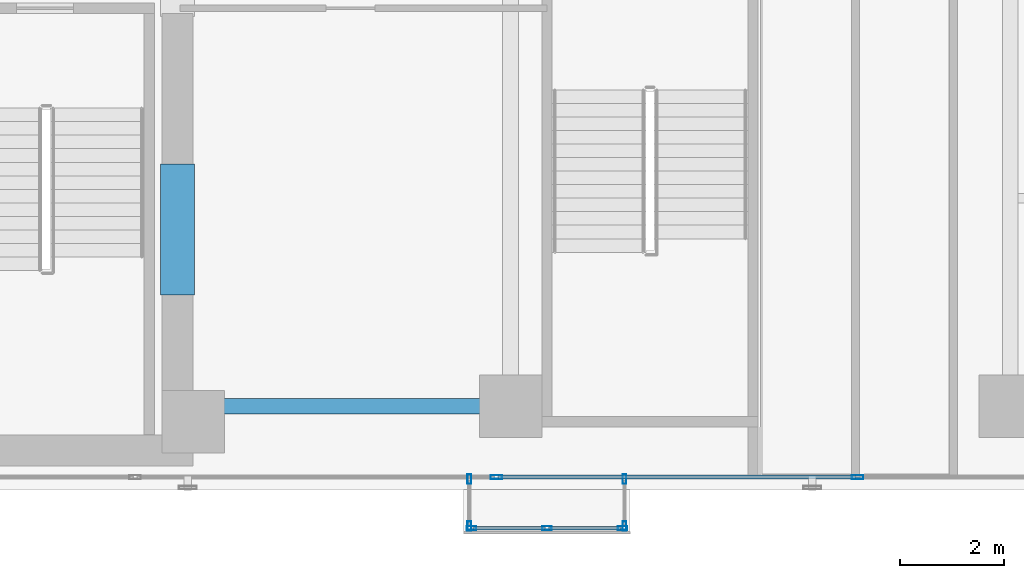
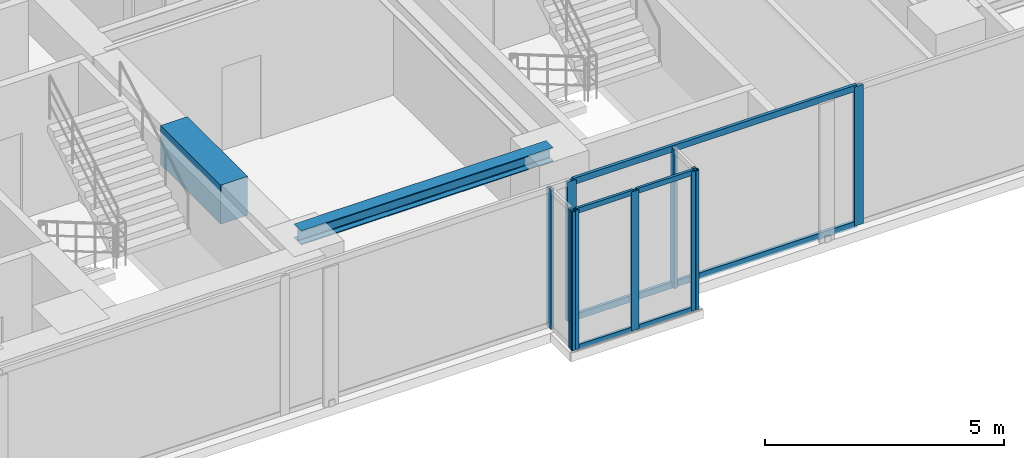
# One storey, part 4 of 24: 15 members, 2 beams, 4 elements without a shape of their own.
"""IFC4 building model written with IfcOpenShell, lengths in metres."""

import ifcopenshell
import ifcopenshell.guid

model = None  # the IFC model being written
_history = None  # IfcOwnerHistory: only IFC2X3 demands one
_inside = {}  # id of a spatial element -> (the spatial element, [elements in it])
_under = {}  # id of a project, library or spatial element -> (it, [spatial elements below it])
_declared = {}  # id of a project -> (the project, [libraries it declares])
_typed = {}  # id of a type object -> (the type object, [elements of that type])
_made_of = {}  # id of a material, layer set ... -> (it, [elements and type objects made of it])


def new_model(schema):
    """Start an empty IFC model of exactly this schema.

    Asked for "IFC4X3", IfcOpenShell would pick the latest addendum, in which some entities
    have other attributes; the version numbers below select the first issue.
    IFC2X3 requires an IfcOwnerHistory on every rooted entity: one is made here for all.
    """
    global model, _history
    if schema == "IFC4X3":
        model = ifcopenshell.file(schema_version=(4, 3, 0, 0))
    else:
        model = ifcopenshell.file(schema=schema)
    _inside.clear()
    _under.clear()
    _declared.clear()
    _typed.clear()
    _made_of.clear()
    _history = None
    if model.schema == "IFC2X3":
        org = make("IfcOrganization", Name="unknown")
        user = make(
            "IfcPersonAndOrganization",
            ThePerson=make("IfcPerson", FamilyName="unknown"),
            TheOrganization=org,
        )
        app = make(
            "IfcApplication",
            ApplicationDeveloper=org,
            Version="unknown",
            ApplicationFullName="unknown",
            ApplicationIdentifier="unknown",
        )
        _history = make(
            "IfcOwnerHistory",
            OwningUser=user,
            OwningApplication=app,
            ChangeAction="ADDED",
            CreationDate=0,
        )
    return model


def make(cls, **values):
    """One entity of the class cls with the attributes given. An attribute that is None is left unset."""
    return model.create_entity(
        cls, **{name: value for name, value in values.items() if value is not None}
    )


def rooted(cls, **values):
    """An entity with a GlobalId (a new one), such as an element, a storey or a relation."""
    return make(cls, GlobalId=ifcopenshell.guid.new(), OwnerHistory=_history, **values)


def si_unit(unit_type, name, prefix=None):
    """IfcSIUnit, for example si_unit("LENGTHUNIT", "METRE", prefix="MILLI")."""
    return make("IfcSIUnit", UnitType=unit_type, Prefix=prefix, Name=name)


def assignment(units):
    """IfcUnitAssignment: the units of a project."""
    return None if units is None else make("IfcUnitAssignment", Units=units)


def point(xyz):
    """IfcCartesianPoint."""
    return None if xyz is None else make("IfcCartesianPoint", Coordinates=xyz)


def direction(xyz):
    """IfcDirection."""
    return None if xyz is None else make("IfcDirection", DirectionRatios=xyz)


def frame(location, z_axis=None, x_axis=None):
    """IfcAxis2Placement3D, a coordinate frame: its origin and axes. An axis left out is left unset."""
    return make(
        "IfcAxis2Placement3D",
        Location=point(location),
        Axis=direction(z_axis),
        RefDirection=direction(x_axis),
    )


def frame_2d(location, x_axis=None):
    """IfcAxis2Placement2D, a coordinate frame in the plane: its origin and x axis."""
    return make(
        "IfcAxis2Placement2D", Location=point(location), RefDirection=direction(x_axis)
    )


def origin():
    """The frame at (0, 0, 0) with its axes left unset."""
    return frame((0.0, 0.0, 0.0))


def origin_with_axes():
    """The frame at (0, 0, 0) with the z axis (0, 0, 1) and the x axis (1, 0, 0) written out."""
    return frame((0.0, 0.0, 0.0), z_axis=(0.0, 0.0, 1.0), x_axis=(1.0, 0.0, 0.0))


def origin_2d():
    """The frame at (0, 0) in the plane with its x axis left unset."""
    return frame_2d((0.0, 0.0))


def place(relative_to, where):
    """IfcLocalPlacement: puts the frame where relative to a parent placement (None: the world)."""
    return make(
        "IfcLocalPlacement", PlacementRelTo=relative_to, RelativePlacement=where
    )


def context(
    kind, dimensions, precision=None, world=None, true_north=None, identifier=None
):
    """IfcGeometricRepresentationContext, for example the 3D "Model" context."""
    return make(
        "IfcGeometricRepresentationContext",
        ContextIdentifier=identifier,
        ContextType=kind,
        CoordinateSpaceDimension=dimensions,
        Precision=precision,
        WorldCoordinateSystem=world,
        TrueNorth=true_north,
    )


def subcontext(parent, identifier, kind, view, scale=None):
    """IfcGeometricRepresentationSubContext, for example "Body" below "Model"."""
    return make(
        "IfcGeometricRepresentationSubContext",
        ContextIdentifier=identifier,
        ContextType=kind,
        ParentContext=parent,
        TargetScale=scale,
        TargetView=view,
    )


def project(units=None, contexts=None):
    """IfcProject with its units and contexts."""
    return rooted(
        "IfcProject",
        Name="project",
        RepresentationContexts=contexts,
        UnitsInContext=assignment(units),
    )


def spatial(cls, under=None, at=None, **own):
    """A site, building, storey or space (cls), placed at a placement, below another one or the project."""
    s = rooted(cls, ObjectPlacement=at, **own)
    if under is not None:
        _under.setdefault(under.id(), (under, []))[1].append(s)
    return s


def profile(cls, at=None, kind="AREA", **sizes):
    """A parametric profile (cls). Its sizes go by their IFC names, for example OverallWidth=200.0."""
    return make(cls, ProfileType=kind, Position=at, **sizes)


def rectangle(**sizes):
    """IfcRectangleProfileDef."""
    return profile("IfcRectangleProfileDef", **sizes)


def hollow_rectangle(**sizes):
    """IfcRectangleHollowProfileDef."""
    return profile("IfcRectangleHollowProfileDef", **sizes)


def i_section(**sizes):
    """IfcIShapeProfileDef."""
    return profile("IfcIShapeProfileDef", **sizes)


def extrude(swept, where, along, depth):
    """IfcExtrudedAreaSolid: the profile swept, set in the frame where, extruded along a direction by depth."""
    return make(
        "IfcExtrudedAreaSolid",
        SweptArea=swept,
        Position=where,
        ExtrudedDirection=direction(along),
        Depth=depth,
    )


def shape(context_of_items, identifier, shape_type, items):
    """IfcShapeRepresentation: the items that make up one representation, for example the "Body"."""
    return make(
        "IfcShapeRepresentation",
        ContextOfItems=context_of_items,
        RepresentationIdentifier=identifier,
        RepresentationType=shape_type,
        Items=items,
    )


def source(mapping_origin, context_of_items, identifier, shape_type, items):
    """IfcRepresentationMap: a shape defined once, which mapped items show again and again."""
    return make(
        "IfcRepresentationMap",
        MappingOrigin=mapping_origin,
        MappedRepresentation=shape(context_of_items, identifier, shape_type, items),
    )


def transform(
    local_origin,
    x_axis=None,
    y_axis=None,
    z_axis=None,
    scale=None,
    scale2=None,
    scale3=None,
    uniform=True,
):
    """IfcCartesianTransformationOperator3D, or its non-uniform kind. x_axis, y_axis, z_axis: its Axis1, 2, 3."""
    if uniform:
        return make(
            "IfcCartesianTransformationOperator3D",
            Axis1=direction(x_axis),
            Axis2=direction(y_axis),
            LocalOrigin=point(local_origin),
            Scale=scale,
            Axis3=direction(z_axis),
        )
    return make(
        "IfcCartesianTransformationOperator3DnonUniform",
        Axis1=direction(x_axis),
        Axis2=direction(y_axis),
        LocalOrigin=point(local_origin),
        Scale=scale,
        Axis3=direction(z_axis),
        Scale2=scale2,
        Scale3=scale3,
    )


def mapped(mapping_source, mapping_target):
    """IfcMappedItem: shows the shape of a source again, moved by a transform."""
    return make(
        "IfcMappedItem", MappingSource=mapping_source, MappingTarget=mapping_target
    )


def material(Name=None, Category=None):
    """IfcMaterial."""
    return make("IfcMaterial", Name=Name, Category=Category)


def layer(
    of_material, thickness, ventilated=None, Name=None, Category=None, Priority=None
):
    """IfcMaterialLayer: one layer of a wall or slab, of a material (None: an air gap)."""
    return make(
        "IfcMaterialLayer",
        Material=of_material,
        LayerThickness=thickness,
        IsVentilated=ventilated,
        Name=Name,
        Category=Category,
        Priority=Priority,
    )


def layer_set(layers, Name=None):
    """IfcMaterialLayerSet."""
    return make("IfcMaterialLayerSet", MaterialLayers=layers, LayerSetName=Name)


def material_profile(
    of_material, cross_section, Name=None, Category=None, Priority=None
):
    """IfcMaterialProfile: a cross section and its material."""
    return make(
        "IfcMaterialProfile",
        Name=Name,
        Material=of_material,
        Profile=cross_section,
        Priority=Priority,
        Category=Category,
    )


def profile_set(profiles, Name=None, composite=None):
    """IfcMaterialProfileSet."""
    return make(
        "IfcMaterialProfileSet",
        Name=Name,
        MaterialProfiles=profiles,
        CompositeProfile=composite,
    )


def made_of(thing, what):
    """Note that an element or type object is made of a material, layer set ...; save() writes the relation."""
    if what is not None:
        _made_of.setdefault(what.id(), (what, []))[1].append(thing)
    return thing


def type_object(cls, material=None, **own):
    """A type object (cls), such as IfcWallType, which elements share."""
    return made_of(rooted(cls, **own), material)


def element(
    cls,
    number,
    at=None,
    inside=None,
    cuts=None,
    type_object=None,
    material=None,
    context=None,
    identifier="Body",
    shape_type=None,
    held_by="IfcProductDefinitionShape",
    body=None,
    shapes=None,
    **own,
):
    """One element of the class cls, such as IfcWall. Its Tag is "e" and its number.

    at: its placement. inside: the storey or other place that contains it. cuts: it is an
    opening in that element (IfcRelVoidsElement). A single representation is given by context,
    identifier, shape_type and body (its items); several are given by shapes. held_by: the class
    of the entity that holds the representations. save() writes the other relations.
    """
    e = rooted(cls, Tag="e%d" % number, ObjectPlacement=at, **own)
    if body is not None:
        shapes = [shape(context, identifier, shape_type, body)]
    if shapes is not None:
        e.Representation = make(held_by, Representations=shapes)
    if inside is not None:
        _inside.setdefault(inside.id(), (inside, []))[1].append(e)
    if cuts is not None:
        rooted(
            "IfcRelVoidsElement", RelatingBuildingElement=cuts, RelatedOpeningElement=e
        )
    if type_object is not None:
        _typed.setdefault(type_object.id(), (type_object, []))[1].append(e)
    return made_of(e, material)


def aggregate(whole, parts):
    """IfcRelAggregates: a whole, such as a stair, and the parts it consists of."""
    return rooted("IfcRelAggregates", RelatingObject=whole, RelatedObjects=parts)


def save(model, path):
    """Write the relations noted so far, then the file.

    IfcRelAggregates (storeys below a building ...), IfcRelContainedInSpatialStructure (elements
    in a storey), IfcRelDefinesByType, IfcRelAssociatesMaterial and IfcRelDeclares: one each for
    every whole, place, type object, material and project.
    """
    for whole, parts in _under.values():
        aggregate(whole, parts)
    for where, things in _inside.values():
        rooted(
            "IfcRelContainedInSpatialStructure",
            RelatedElements=things,
            RelatingStructure=where,
        )
    for kind, things in _typed.values():
        rooted("IfcRelDefinesByType", RelatedObjects=things, RelatingType=kind)
    for what, things in _made_of.values():
        rooted("IfcRelAssociatesMaterial", RelatedObjects=things, RelatingMaterial=what)
    for by, libraries in _declared.values():
        rooted("IfcRelDeclares", RelatingContext=by, RelatedDefinitions=libraries)
    model.write(path)


model = new_model("IFC4")

# Units and contexts
model_context = context("Model", 3, precision=1e-05, world=origin(), true_north=direction((0.0, 1.0)))
body_context = subcontext(model_context, "Body", "Model", "MODEL_VIEW")
ifc_project = project(units=[si_unit("LENGTHUNIT", "METRE"), si_unit("AREAUNIT", "SQUARE_METRE"), si_unit("VOLUMEUNIT", "CUBIC_METRE"), si_unit("PLANEANGLEUNIT", "RADIAN"), si_unit("MASSUNIT", "GRAM", prefix="KILO")], contexts=[model_context])

# Site, building, storey
site_placement = place(None, origin())
site = spatial("IfcSite", under=ifc_project, at=site_placement, CompositionType="ELEMENT")
building_placement = place(site_placement, origin())
building = spatial("IfcBuilding", under=site, at=building_placement, Name="Kolvaren Waterfront Exchange", CompositionType="ELEMENT")
storey_placement = place(building_placement, frame((0.0, 0.0, 169.0)))
storey = spatial("IfcBuildingStorey", under=building, at=storey_placement, Name="L43", CompositionType="ELEMENT", Elevation=169.0)

# Beams
ifc_material_1 = material(Name="Steel S355", Category="steel")
ifc_material_profile_1 = material_profile(ifc_material_1, i_section(OverallWidth=0.300048828125, OverallDepth=0.360107421875, WebThickness=0.012451171875, FlangeThickness=0.0224609375, FilletRadius=0.027099609375, at=origin_2d()), Name="HEB360")
ifc_profile_set_1 = profile_set([ifc_material_profile_1], Name="Steel S355")
beam_type_1 = type_object("IfcBeamType", Name="STR-BM-HEB360", PredefinedType="SPANDREL", material=ifc_profile_set_1)
beam_1_placement = place(storey_placement, frame((21.10009765625, 5.199951171875, 3.3798828125), z_axis=(1.0, 0.0, 0.0), x_axis=(0.0, 1.0, 0.0)))
element("IfcBeam", 1, at=beam_1_placement, inside=storey, type_object=beam_type_1, Name="L43 east-arm spandrel S1", PredefinedType="SPANDREL", context=body_context, shape_type="SweptSolid", body=[
    extrude(i_section(OverallWidth=0.300048828125, OverallDepth=0.360107421875, WebThickness=0.012451171875, FlangeThickness=0.0224609375, FilletRadius=0.027099609375, at=origin_2d()), origin(), (0.0, 0.0, 1.0), 6.099853515625),
])
ifc_material_2 = material(Name="Concrete C60/75", Category="concrete")
ifc_material_profile_2 = material_profile(ifc_material_2, rectangle(XDim=0.64990234375, YDim=1.0, at=origin_2d()), Name="RC-CB-1000x650")
ifc_profile_set_2 = profile_set([ifc_material_profile_2], Name="Concrete C60/75")
beam_type_2 = type_object("IfcBeamType", Name="STR-CB-1000", PredefinedType="SPANDREL", material=ifc_profile_set_2)
beam_2_placement = place(storey_placement, frame((20.800048828125, 7.340087890625, 3.06005859375), z_axis=(0.0, 1.0, 0.0), x_axis=(-1.0, 0.0, 0.0)))
element("IfcBeam", 2, at=beam_2_placement, inside=storey, type_object=beam_type_2, Name="L43 core coupling beam 1", PredefinedType="SPANDREL", context=body_context, shape_type="SweptSolid", body=[
    extrude(rectangle(XDim=0.64990234375, YDim=1.0, at=origin_2d()), origin(), (0.0, 0.0, 1.0), 2.52001953125),
])

# Curtain wall, members
ifc_material_3 = material(Name="Anodised bronze aluminium 6063-T6", Category="aluminium")
ifc_layer_1 = layer(ifc_material_3, 0.219970703125, Name="Anodised bronze aluminium 6063-T6")
ifc_layer_set_1 = layer_set([ifc_layer_1], Name="Anodised bronze aluminium 6063-T6")
curtain_wall_type_1 = type_object("IfcCurtainWallType", Name="ARC-CW-SYS3", PredefinedType="USERDEFINED", material=ifc_layer_set_1)
curtain_wall_1_placement = place(storey_placement, origin())
curtain_wall_1 = element("IfcCurtainWall", 3, at=curtain_wall_1_placement, inside=storey, type_object=curtain_wall_type_1, Name="L43 stick curtain wall CW3 (CW-L43-BOX)", ObjectType="STICK CURTAIN WALL", PredefinedType="USERDEFINED")
ifc_material_profile_3 = material_profile(ifc_material_3, hollow_rectangle(XDim=0.06494140625, YDim=0.1298828125, WallThickness=0.00390625, at=origin_2d()), Name="ALU-TRN-130x65x4")
ifc_profile_set_3 = profile_set([ifc_material_profile_3], Name="Anodised bronze aluminium 6063-T6")
member_type_1 = type_object("IfcMemberType", Name="ARC-CWT-130", PredefinedType="USERDEFINED", material=ifc_profile_set_3)
shared_shape_1 = source(origin_with_axes(), body_context, "Body", "SweptSolid", [
    extrude(hollow_rectangle(XDim=0.06494140625, YDim=0.1298828125, WallThickness=0.00390625, at=origin_2d()), origin(), (0.0, 0.0, 1.0), 1.37744140625),
])
member_1_placement = place(storey_placement, frame((26.485107421875, 2.860107421875, 0.032470703125), z_axis=(1.0, 0.0, 0.0), x_axis=(0.0, 1.0, 0.0)))
member_1 = element("IfcMember", 4, at=member_1_placement, type_object=member_type_1, Name="CW3 transom 1.1", ObjectType="TRANSOM", PredefinedType="USERDEFINED", context=body_context, shape_type="MappedRepresentation", body=[
    mapped(shared_shape_1, transform((0.0, 0.0, 0.0), x_axis=(1.0, 0.0, 0.0), y_axis=(0.0, 1.0, 0.0), z_axis=(0.0, 0.0, 1.0), scale=1.0)),
])
member_2_placement = place(storey_placement, frame((26.485107421875, 2.860107421875, 3.527587890625), z_axis=(1.0, 0.0, 0.0), x_axis=(0.0, 1.0, 0.0)))
member_2 = element("IfcMember", 5, at=member_2_placement, type_object=member_type_1, Name="CW3 transom 1.2", ObjectType="TRANSOM", PredefinedType="USERDEFINED", context=body_context, shape_type="MappedRepresentation", body=[
    mapped(shared_shape_1, transform((0.0, 0.0, 0.0), x_axis=(1.0, 0.0, 0.0), y_axis=(0.0, 1.0, 0.0), z_axis=(0.0, 0.0, 1.0), scale=1.0)),
])
member_3_placement = place(storey_placement, frame((27.9375, 2.860107421875, 0.032470703125), z_axis=(1.0, 0.0, 0.0), x_axis=(0.0, 1.0, 0.0)))
member_3 = element("IfcMember", 6, at=member_3_placement, type_object=member_type_1, Name="CW3 transom 2.1", ObjectType="TRANSOM", PredefinedType="USERDEFINED", context=body_context, shape_type="MappedRepresentation", body=[
    mapped(shared_shape_1, transform((0.0, 0.0, 0.0), x_axis=(1.0, 0.0, 0.0), y_axis=(0.0, 1.0, 0.0), z_axis=(0.0, 0.0, 1.0), scale=1.0)),
])
member_4_placement = place(storey_placement, frame((27.9375, 2.860107421875, 3.527587890625), z_axis=(1.0, 0.0, 0.0), x_axis=(0.0, 1.0, 0.0)))
member_4 = element("IfcMember", 7, at=member_4_placement, type_object=member_type_1, Name="CW3 transom 2.2", ObjectType="TRANSOM", PredefinedType="USERDEFINED", context=body_context, shape_type="MappedRepresentation", body=[
    mapped(shared_shape_1, transform((0.0, 0.0, 0.0), x_axis=(1.0, 0.0, 0.0), y_axis=(0.0, 1.0, 0.0), z_axis=(0.0, 0.0, 1.0), scale=1.0)),
])

curtain_wall_2_placement = place(storey_placement, origin())
curtain_wall_2 = element("IfcCurtainWall", 8, at=curtain_wall_2_placement, inside=storey, type_object=curtain_wall_type_1, Name="L43 stick curtain wall CW3 (CW-L43-BOX-W)", ObjectType="STICK CURTAIN WALL", PredefinedType="USERDEFINED")
ifc_material_profile_4 = material_profile(ifc_material_3, hollow_rectangle(XDim=0.074951171875, YDim=0.179931640625, WallThickness=0.00439453125, at=origin_2d()), Name="ALU-MUL-180x75x4.5")
ifc_profile_set_4 = profile_set([ifc_material_profile_4], Name="Anodised bronze aluminium 6063-T6")
member_type_2 = type_object("IfcMemberType", Name="ARC-CWM-180", PredefinedType="MULLION", material=ifc_profile_set_4)
shared_shape_2 = source(origin_with_axes(), body_context, "Body", "SweptSolid", [
    extrude(hollow_rectangle(XDim=0.074951171875, YDim=0.179931640625, WallThickness=0.00439453125, at=origin_2d()), origin(), (0.0, 0.0, 1.0), 3.56005859375),
])
member_5_placement = place(storey_placement, frame((26.409912109375, 3.802490234375, 0.0), z_axis=(0.0, 0.0, 1.0), x_axis=(1.0, 0.0, 0.0)))
member_5 = element("IfcMember", 9, at=member_5_placement, type_object=member_type_2, Name="CW3 mullion 1", PredefinedType="MULLION", context=body_context, shape_type="MappedRepresentation", body=[
    mapped(shared_shape_2, transform((0.0, 0.0, 0.0), x_axis=(1.0, 0.0, 0.0), y_axis=(0.0, 1.0, 0.0), z_axis=(0.0, 0.0, 1.0), scale=1.0)),
])
member_6_placement = place(storey_placement, frame((26.409912109375, 2.8974609375, 0.0), z_axis=(0.0, 0.0, 1.0), x_axis=(1.0, 0.0, 0.0)))
member_6 = element("IfcMember", 10, at=member_6_placement, type_object=member_type_2, Name="CW3 mullion 2", PredefinedType="MULLION", context=body_context, shape_type="MappedRepresentation", body=[
    mapped(shared_shape_2, transform((0.0, 0.0, 0.0), x_axis=(1.0, 0.0, 0.0), y_axis=(0.0, 1.0, 0.0), z_axis=(0.0, 0.0, 1.0), scale=1.0)),
])
aggregate(curtain_wall_2, [member_5, member_6])

# Member
member_7_placement = place(storey_placement, frame((26.447509765625, 2.860107421875, 0.0), z_axis=(0.0, 0.0, 1.0), x_axis=(0.0, 1.0, 0.0)))
member_7 = element("IfcMember", 11, at=member_7_placement, type_object=member_type_2, Name="CW3 mullion 1", PredefinedType="MULLION", context=body_context, shape_type="MappedRepresentation", body=[
    mapped(shared_shape_2, transform((0.0, 0.0, 0.0), x_axis=(1.0, 0.0, 0.0), y_axis=(0.0, 1.0, 0.0), z_axis=(0.0, 0.0, 1.0), scale=1.0)),
])

member_8_placement = place(storey_placement, frame((27.89990234375, 2.860107421875, 0.0), z_axis=(0.0, 0.0, 1.0), x_axis=(0.0, 1.0, 0.0)))
member_8 = element("IfcMember", 12, at=member_8_placement, type_object=member_type_2, Name="CW3 mullion 2", PredefinedType="MULLION", context=body_context, shape_type="MappedRepresentation", body=[
    mapped(shared_shape_2, transform((0.0, 0.0, 0.0), x_axis=(1.0, 0.0, 0.0), y_axis=(0.0, 1.0, 0.0), z_axis=(0.0, 0.0, 1.0), scale=1.0)),
])

member_9_placement = place(storey_placement, frame((29.3525390625, 2.860107421875, 0.0), z_axis=(0.0, 0.0, 1.0), x_axis=(0.0, 1.0, 0.0)))
member_9 = element("IfcMember", 13, at=member_9_placement, type_object=member_type_2, Name="CW3 mullion 3", PredefinedType="MULLION", context=body_context, shape_type="MappedRepresentation", body=[
    mapped(shared_shape_2, transform((0.0, 0.0, 0.0), x_axis=(1.0, 0.0, 0.0), y_axis=(0.0, 1.0, 0.0), z_axis=(0.0, 0.0, 1.0), scale=1.0)),
])

aggregate(curtain_wall_1, [member_7, member_8, member_9, member_1, member_2, member_3, member_4])

# Curtain wall, members
curtain_wall_3_placement = place(storey_placement, origin())
curtain_wall_3 = element("IfcCurtainWall", 14, at=curtain_wall_3_placement, inside=storey, type_object=curtain_wall_type_1, Name="L43 stick curtain wall CW3 (CW-L43-BOX-E)", ObjectType="STICK CURTAIN WALL", PredefinedType="USERDEFINED")
member_10_placement = place(storey_placement, frame((29.389892578125, 2.8974609375, 0.0), z_axis=(0.0, 0.0, 1.0), x_axis=(-1.0, 0.0, 0.0)))
member_10 = element("IfcMember", 15, at=member_10_placement, type_object=member_type_2, Name="CW3 mullion 1", PredefinedType="MULLION", context=body_context, shape_type="MappedRepresentation", body=[
    mapped(shared_shape_2, transform((0.0, 0.0, 0.0), x_axis=(1.0, 0.0, 0.0), y_axis=(0.0, 1.0, 0.0), z_axis=(0.0, 0.0, 1.0), scale=1.0)),
])
member_11_placement = place(storey_placement, frame((29.389892578125, 3.802490234375, 0.0), z_axis=(0.0, 0.0, 1.0), x_axis=(-1.0, 0.0, 0.0)))
member_11 = element("IfcMember", 16, at=member_11_placement, type_object=member_type_2, Name="CW3 mullion 2", PredefinedType="MULLION", context=body_context, shape_type="MappedRepresentation", body=[
    mapped(shared_shape_2, transform((0.0, 0.0, 0.0), x_axis=(1.0, 0.0, 0.0), y_axis=(0.0, 1.0, 0.0), z_axis=(0.0, 0.0, 1.0), scale=1.0)),
])
aggregate(curtain_wall_3, [member_10, member_11])

ifc_layer_2 = layer(ifc_material_3, 0.219970703125, Name="Anodised bronze aluminium 6063-T6")
ifc_layer_set_2 = layer_set([ifc_layer_2], Name="Anodised bronze aluminium 6063-T6")
curtain_wall_type_2 = type_object("IfcCurtainWallType", Name="ARC-CW-SYS1", PredefinedType="USERDEFINED", material=ifc_layer_set_2)
curtain_wall_4_placement = place(storey_placement, origin())
curtain_wall_4 = element("IfcCurtainWall", 17, at=curtain_wall_4_placement, inside=storey, type_object=curtain_wall_type_2, Name="L43 stick curtain wall CW1 (CW-L43-S)", ObjectType="STICK CURTAIN WALL", PredefinedType="USERDEFINED")
ifc_material_4 = material(Name="Anodised aluminium 6063-T6", Category="aluminium")
ifc_material_profile_5 = material_profile(ifc_material_4, hollow_rectangle(XDim=0.080078125, YDim=0.219970703125, WallThickness=0.0048828125, at=origin_2d()), Name="ALU-MUL-220x80x5")
ifc_profile_set_5 = profile_set([ifc_material_profile_5], Name="Anodised aluminium 6063-T6")
member_type_3 = type_object("IfcMemberType", Name="ARC-CWM-220", PredefinedType="MULLION", material=ifc_profile_set_5)
shared_shape_3 = source(origin_with_axes(), body_context, "Body", "SweptSolid", [
    extrude(hollow_rectangle(XDim=0.080078125, YDim=0.219970703125, WallThickness=0.0048828125, at=origin_2d()), origin(), (0.0, 0.0, 1.0), 3.56005859375),
])
member_12_placement = place(storey_placement, frame((26.928466796875, 3.840087890625, 0.0), z_axis=(0.0, 0.0, 1.0), x_axis=(0.0, 1.0, 0.0)))
member_12 = element("IfcMember", 18, at=member_12_placement, type_object=member_type_3, Name="CW1 mullion 4", PredefinedType="MULLION", context=body_context, shape_type="MappedRepresentation", body=[
    mapped(shared_shape_3, transform((0.0, 0.0, 0.0), x_axis=(1.0, 0.0, 0.0), y_axis=(0.0, 1.0, 0.0), z_axis=(0.0, 0.0, 1.0), scale=1.0)),
])
member_13_placement = place(storey_placement, frame((33.871337890625, 3.840087890625, 0.0), z_axis=(0.0, 0.0, 1.0), x_axis=(0.0, 1.0, 0.0)))
member_13 = element("IfcMember", 19, at=member_13_placement, type_object=member_type_3, Name="CW1 mullion 5", PredefinedType="MULLION", context=body_context, shape_type="MappedRepresentation", body=[
    mapped(shared_shape_3, transform((0.0, 0.0, 0.0), x_axis=(1.0, 0.0, 0.0), y_axis=(0.0, 1.0, 0.0), z_axis=(0.0, 0.0, 1.0), scale=1.0)),
])
ifc_material_profile_6 = material_profile(ifc_material_4, hollow_rectangle(XDim=0.074951171875, YDim=0.159912109375, WallThickness=0.00439453125, at=origin_2d()), Name="ALU-TRN-160x75x4.5")
ifc_profile_set_6 = profile_set([ifc_material_profile_6], Name="Anodised aluminium 6063-T6")
member_type_4 = type_object("IfcMemberType", Name="ARC-CWT-160", PredefinedType="USERDEFINED", material=ifc_profile_set_6)
shared_shape_4 = source(origin_with_axes(), body_context, "Body", "SweptSolid", [
    extrude(hollow_rectangle(XDim=0.074951171875, YDim=0.159912109375, WallThickness=0.00439453125, at=origin_2d()), origin(), (0.0, 0.0, 1.0), 6.863037109375),
])
member_14_placement = place(storey_placement, frame((26.968505859375, 3.840087890625, 0.03759765625), z_axis=(1.0, 0.0, 0.0), x_axis=(0.0, 1.0, 0.0)))
member_14 = element("IfcMember", 20, at=member_14_placement, type_object=member_type_4, Name="CW1 transom 4.1", ObjectType="TRANSOM", PredefinedType="USERDEFINED", context=body_context, shape_type="MappedRepresentation", body=[
    mapped(shared_shape_4, transform((0.0, 0.0, 0.0), x_axis=(1.0, 0.0, 0.0), y_axis=(0.0, 1.0, 0.0), z_axis=(0.0, 0.0, 1.0), scale=1.0)),
])
member_15_placement = place(storey_placement, frame((26.968505859375, 3.840087890625, 3.5224609375), z_axis=(1.0, 0.0, 0.0), x_axis=(0.0, 1.0, 0.0)))
member_15 = element("IfcMember", 21, at=member_15_placement, type_object=member_type_4, Name="CW1 transom 4.2", ObjectType="TRANSOM", PredefinedType="USERDEFINED", context=body_context, shape_type="MappedRepresentation", body=[
    mapped(shared_shape_4, transform((0.0, 0.0, 0.0), x_axis=(1.0, 0.0, 0.0), y_axis=(0.0, 1.0, 0.0), z_axis=(0.0, 0.0, 1.0), scale=1.0)),
])
aggregate(curtain_wall_4, [member_12, member_13, member_14, member_15])

save(model, "model.ifc")
